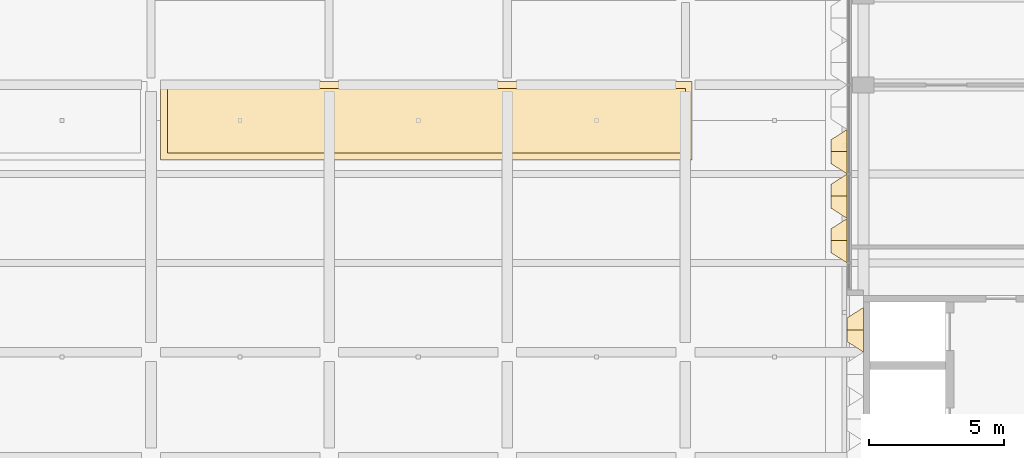
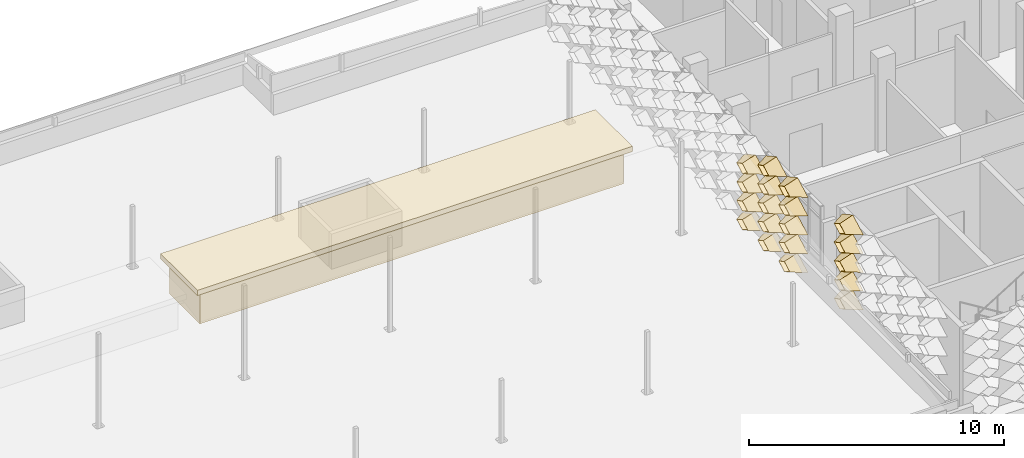
# One storey, part 24 of 39: 21 coverings.
"""IFC4 building model written with IfcOpenShell, lengths in metres."""

from ifc_helpers import new_model, entity, si_unit, direction, frame, origin, origin_2d, place, context, subcontext, project, spatial, rectangle, extrude, material, layer, layer_set, type_object, element, save


model = new_model("IFC4")

# Units and contexts
model_context = context("Model", 3, precision=1e-05, world=origin(), true_north=direction((0.0, 1.0)))
body_context = subcontext(model_context, "Body", "Model", "MODEL_VIEW")
ifc_project = project(units=[si_unit("LENGTHUNIT", "METRE"), si_unit("AREAUNIT", "SQUARE_METRE"), si_unit("VOLUMEUNIT", "CUBIC_METRE"), si_unit("PLANEANGLEUNIT", "RADIAN"), si_unit("MASSUNIT", "GRAM", prefix="KILO")], contexts=[model_context])

# Site, building, storey
site_placement = place(None, origin())
site = spatial("IfcSite", under=ifc_project, at=site_placement, CompositionType="ELEMENT")
building_placement = place(site_placement, origin())
building = spatial("IfcBuilding", under=site, at=building_placement, Name="Lantern Court Research Institute", CompositionType="ELEMENT")
storey_placement = place(building_placement, frame((0.0, 0.0, 27.89990234375)))
storey = spatial("IfcBuildingStorey", under=building, at=storey_placement, Name="L06", CompositionType="ELEMENT", Elevation=27.89990234375)

# Coverings
ifc_material_1 = material(Name="Anodised aluminium", Category="aluminium")
ifc_layer_1 = layer(ifc_material_1, 0.01611328125)
ifc_layer_set_1 = layer_set([ifc_layer_1], Name="Anodised aluminium")
covering_type_1 = type_object("IfcCoveringType", Name="Fin cassette 1650 x 900 x 600 aluminium", PredefinedType="CLADDING", material=ifc_layer_set_1)
covering_1_placement = place(storey_placement, frame((52.800048828125, 0.824951171875, 0.4501953125), z_axis=(-1.0, 0.0, 0.0), x_axis=(0.0, -1.0, 0.0)))
cartesian_point_1 = entity("IfcCartesianPoint", [0.824951171875, 0.0])
cartesian_point_2 = entity("IfcCartesianPoint", [0.79150390625, 0.0])
cartesian_point_3 = entity("IfcCartesianPoint", [0.44189453125, 0.0])
cartesian_point_4 = entity("IfcCartesianPoint", [0.43359375, 0.0])
element("IfcCovering", 1, at=covering_1_placement, inside=storey, type_object=covering_type_1, Name="Fin cassette V5W-L06 1.1", PredefinedType="CLADDING", context=body_context, shape_type="SweptSolid", body=[
    entity("IfcExtrudedAreaSolidTapered", entity("IfcArbitraryProfileDefWithVoids", "AREA", None, entity("IfcPolyline", [cartesian_point_1, entity("IfcCartesianPoint", [0.0, 0.449951171875]), entity("IfcCartesianPoint", [-0.824951171875, 0.0]), entity("IfcCartesianPoint", [0.0, -0.449951171875]), cartesian_point_1]), [entity("IfcPolyline", [cartesian_point_2, entity("IfcCartesianPoint", [0.0, 0.431884765625]), entity("IfcCartesianPoint", [-0.79150390625, 0.0]), entity("IfcCartesianPoint", [0.0, -0.431884765625]), cartesian_point_2])]), entity("IfcAxis2Placement3D", entity("IfcCartesianPoint", [0.0, 0.0, 0.0])), entity("IfcDirection", [0.0, 0.0, 1.0]), 0.60009765625, entity("IfcArbitraryProfileDefWithVoids", "AREA", None, entity("IfcPolyline", [cartesian_point_3, entity("IfcCartesianPoint", [0.0, 0.240966796875]), entity("IfcCartesianPoint", [-0.44189453125, 0.0]), entity("IfcCartesianPoint", [0.0, -0.240966796875]), cartesian_point_3]), [entity("IfcPolyline", [cartesian_point_4, entity("IfcCartesianPoint", [0.0, 0.236572265625]), entity("IfcCartesianPoint", [-0.43359375, 0.0]), entity("IfcCartesianPoint", [0.0, -0.236572265625]), cartesian_point_4])])),
])
covering_2_placement = place(storey_placement, frame((52.800048828125, 0.824951171875, 1.35009765625), z_axis=(-1.0, 0.0, 0.0), x_axis=(0.0, -1.0, 0.0)))
cartesian_point_5 = entity("IfcCartesianPoint", [0.824951171875, 0.0])
cartesian_point_6 = entity("IfcCartesianPoint", [0.79150390625, 0.0])
cartesian_point_7 = entity("IfcCartesianPoint", [0.44189453125, 0.0])
cartesian_point_8 = entity("IfcCartesianPoint", [0.43359375, 0.0])
element("IfcCovering", 2, at=covering_2_placement, inside=storey, type_object=covering_type_1, Name="Fin cassette V5W-L06 2.1", PredefinedType="CLADDING", context=body_context, shape_type="SweptSolid", body=[
    entity("IfcExtrudedAreaSolidTapered", entity("IfcArbitraryProfileDefWithVoids", "AREA", None, entity("IfcPolyline", [cartesian_point_5, entity("IfcCartesianPoint", [0.0, 0.449951171875]), entity("IfcCartesianPoint", [-0.824951171875, 0.0]), entity("IfcCartesianPoint", [0.0, -0.449951171875]), cartesian_point_5]), [entity("IfcPolyline", [cartesian_point_6, entity("IfcCartesianPoint", [0.0, 0.431884765625]), entity("IfcCartesianPoint", [-0.79150390625, 0.0]), entity("IfcCartesianPoint", [0.0, -0.431884765625]), cartesian_point_6])]), entity("IfcAxis2Placement3D", entity("IfcCartesianPoint", [0.0, 0.0, 0.0])), entity("IfcDirection", [0.0, 0.0, 1.0]), 0.60009765625, entity("IfcArbitraryProfileDefWithVoids", "AREA", None, entity("IfcPolyline", [cartesian_point_7, entity("IfcCartesianPoint", [0.0, 0.240966796875]), entity("IfcCartesianPoint", [-0.44189453125, 0.0]), entity("IfcCartesianPoint", [0.0, -0.240966796875]), cartesian_point_7]), [entity("IfcPolyline", [cartesian_point_8, entity("IfcCartesianPoint", [0.0, 0.236572265625]), entity("IfcCartesianPoint", [-0.43359375, 0.0]), entity("IfcCartesianPoint", [0.0, -0.236572265625]), cartesian_point_8])])),
])
covering_3_placement = place(storey_placement, frame((52.800048828125, 0.824951171875, 2.25), z_axis=(-1.0, 0.0, 0.0), x_axis=(0.0, -1.0, 0.0)))
cartesian_point_9 = entity("IfcCartesianPoint", [0.824951171875, 0.0])
cartesian_point_10 = entity("IfcCartesianPoint", [0.79150390625, 0.0])
cartesian_point_11 = entity("IfcCartesianPoint", [0.44189453125, 0.0])
cartesian_point_12 = entity("IfcCartesianPoint", [0.43359375, 0.0])
element("IfcCovering", 3, at=covering_3_placement, inside=storey, type_object=covering_type_1, Name="Fin cassette V5W-L06 3.1", PredefinedType="CLADDING", context=body_context, shape_type="SweptSolid", body=[
    entity("IfcExtrudedAreaSolidTapered", entity("IfcArbitraryProfileDefWithVoids", "AREA", None, entity("IfcPolyline", [cartesian_point_9, entity("IfcCartesianPoint", [0.0, 0.449951171875]), entity("IfcCartesianPoint", [-0.824951171875, 0.0]), entity("IfcCartesianPoint", [0.0, -0.449951171875]), cartesian_point_9]), [entity("IfcPolyline", [cartesian_point_10, entity("IfcCartesianPoint", [0.0, 0.431884765625]), entity("IfcCartesianPoint", [-0.79150390625, 0.0]), entity("IfcCartesianPoint", [0.0, -0.431884765625]), cartesian_point_10])]), entity("IfcAxis2Placement3D", entity("IfcCartesianPoint", [0.0, 0.0, 0.0])), entity("IfcDirection", [0.0, 0.0, 1.0]), 0.60009765625, entity("IfcArbitraryProfileDefWithVoids", "AREA", None, entity("IfcPolyline", [cartesian_point_11, entity("IfcCartesianPoint", [0.0, 0.240966796875]), entity("IfcCartesianPoint", [-0.44189453125, 0.0]), entity("IfcCartesianPoint", [0.0, -0.240966796875]), cartesian_point_11]), [entity("IfcPolyline", [cartesian_point_12, entity("IfcCartesianPoint", [0.0, 0.236572265625]), entity("IfcCartesianPoint", [-0.43359375, 0.0]), entity("IfcCartesianPoint", [0.0, -0.236572265625]), cartesian_point_12])])),
])
covering_4_placement = place(storey_placement, frame((52.800048828125, 0.824951171875, 3.150146484375), z_axis=(-1.0, 0.0, 0.0), x_axis=(0.0, -1.0, 0.0)))
cartesian_point_13 = entity("IfcCartesianPoint", [0.824951171875, 0.0])
cartesian_point_14 = entity("IfcCartesianPoint", [0.79150390625, 0.0])
cartesian_point_15 = entity("IfcCartesianPoint", [0.44189453125, 0.0])
cartesian_point_16 = entity("IfcCartesianPoint", [0.43359375, 0.0])
element("IfcCovering", 4, at=covering_4_placement, inside=storey, type_object=covering_type_1, Name="Fin cassette V5W-L06 4.1", PredefinedType="CLADDING", context=body_context, shape_type="SweptSolid", body=[
    entity("IfcExtrudedAreaSolidTapered", entity("IfcArbitraryProfileDefWithVoids", "AREA", None, entity("IfcPolyline", [cartesian_point_13, entity("IfcCartesianPoint", [0.0, 0.449951171875]), entity("IfcCartesianPoint", [-0.824951171875, 0.0]), entity("IfcCartesianPoint", [0.0, -0.449951171875]), cartesian_point_13]), [entity("IfcPolyline", [cartesian_point_14, entity("IfcCartesianPoint", [0.0, 0.431884765625]), entity("IfcCartesianPoint", [-0.79150390625, 0.0]), entity("IfcCartesianPoint", [0.0, -0.431884765625]), cartesian_point_14])]), entity("IfcAxis2Placement3D", entity("IfcCartesianPoint", [0.0, 0.0, 0.0])), entity("IfcDirection", [0.0, 0.0, 1.0]), 0.60009765625, entity("IfcArbitraryProfileDefWithVoids", "AREA", None, entity("IfcPolyline", [cartesian_point_15, entity("IfcCartesianPoint", [0.0, 0.240966796875]), entity("IfcCartesianPoint", [-0.44189453125, 0.0]), entity("IfcCartesianPoint", [0.0, -0.240966796875]), cartesian_point_15]), [entity("IfcPolyline", [cartesian_point_16, entity("IfcCartesianPoint", [0.0, 0.236572265625]), entity("IfcCartesianPoint", [-0.43359375, 0.0]), entity("IfcCartesianPoint", [0.0, -0.236572265625]), cartesian_point_16])])),
])
covering_5_placement = place(storey_placement, frame((52.800048828125, 0.824951171875, 4.050048828125), z_axis=(-1.0, 0.0, 0.0), x_axis=(0.0, -1.0, 0.0)))
cartesian_point_17 = entity("IfcCartesianPoint", [0.824951171875, 0.0])
cartesian_point_18 = entity("IfcCartesianPoint", [0.79150390625, 0.0])
cartesian_point_19 = entity("IfcCartesianPoint", [0.44189453125, 0.0])
cartesian_point_20 = entity("IfcCartesianPoint", [0.43359375, 0.0])
element("IfcCovering", 5, at=covering_5_placement, inside=storey, type_object=covering_type_1, Name="Fin cassette V5W-L06 5.1", PredefinedType="CLADDING", context=body_context, shape_type="SweptSolid", body=[
    entity("IfcExtrudedAreaSolidTapered", entity("IfcArbitraryProfileDefWithVoids", "AREA", None, entity("IfcPolyline", [cartesian_point_17, entity("IfcCartesianPoint", [0.0, 0.449951171875]), entity("IfcCartesianPoint", [-0.824951171875, 0.0]), entity("IfcCartesianPoint", [0.0, -0.449951171875]), cartesian_point_17]), [entity("IfcPolyline", [cartesian_point_18, entity("IfcCartesianPoint", [0.0, 0.431884765625]), entity("IfcCartesianPoint", [-0.79150390625, 0.0]), entity("IfcCartesianPoint", [0.0, -0.431884765625]), cartesian_point_18])]), entity("IfcAxis2Placement3D", entity("IfcCartesianPoint", [0.0, 0.0, 0.0])), entity("IfcDirection", [0.0, 0.0, 1.0]), 0.60009765625, entity("IfcArbitraryProfileDefWithVoids", "AREA", None, entity("IfcPolyline", [cartesian_point_19, entity("IfcCartesianPoint", [0.0, 0.240966796875]), entity("IfcCartesianPoint", [-0.44189453125, 0.0]), entity("IfcCartesianPoint", [0.0, -0.240966796875]), cartesian_point_19]), [entity("IfcPolyline", [cartesian_point_20, entity("IfcCartesianPoint", [0.0, 0.236572265625]), entity("IfcCartesianPoint", [-0.43359375, 0.0]), entity("IfcCartesianPoint", [0.0, -0.236572265625]), cartesian_point_20])])),
])
covering_6_placement = place(storey_placement, frame((52.199951171875, 4.125, 0.4501953125), z_axis=(-1.0, 0.0, 0.0), x_axis=(0.0, -1.0, 0.0)))
cartesian_point_21 = entity("IfcCartesianPoint", [0.824951171875, 0.0])
cartesian_point_22 = entity("IfcCartesianPoint", [0.79150390625, 0.0])
cartesian_point_23 = entity("IfcCartesianPoint", [0.44189453125, 0.0])
cartesian_point_24 = entity("IfcCartesianPoint", [0.43359375, 0.0])
element("IfcCovering", 6, at=covering_6_placement, inside=storey, type_object=covering_type_1, Name="Fin cassette V5W-L06 1.3", PredefinedType="CLADDING", context=body_context, shape_type="SweptSolid", body=[
    entity("IfcExtrudedAreaSolidTapered", entity("IfcArbitraryProfileDefWithVoids", "AREA", None, entity("IfcPolyline", [cartesian_point_21, entity("IfcCartesianPoint", [0.0, 0.449951171875]), entity("IfcCartesianPoint", [-0.824951171875, 0.0]), entity("IfcCartesianPoint", [0.0, -0.449951171875]), cartesian_point_21]), [entity("IfcPolyline", [cartesian_point_22, entity("IfcCartesianPoint", [0.0, 0.431884765625]), entity("IfcCartesianPoint", [-0.79150390625, 0.0]), entity("IfcCartesianPoint", [0.0, -0.431884765625]), cartesian_point_22])]), entity("IfcAxis2Placement3D", entity("IfcCartesianPoint", [0.0, 0.0, 0.0])), entity("IfcDirection", [0.0, 0.0, 1.0]), 0.60009765625, entity("IfcArbitraryProfileDefWithVoids", "AREA", None, entity("IfcPolyline", [cartesian_point_23, entity("IfcCartesianPoint", [0.0, 0.240966796875]), entity("IfcCartesianPoint", [-0.44189453125, 0.0]), entity("IfcCartesianPoint", [0.0, -0.240966796875]), cartesian_point_23]), [entity("IfcPolyline", [cartesian_point_24, entity("IfcCartesianPoint", [0.0, 0.236572265625]), entity("IfcCartesianPoint", [-0.43359375, 0.0]), entity("IfcCartesianPoint", [0.0, -0.236572265625]), cartesian_point_24])])),
])
covering_7_placement = place(storey_placement, frame((52.199951171875, 5.77490234375, 0.4501953125), z_axis=(-1.0, 0.0, 0.0), x_axis=(0.0, -1.0, 0.0)))
cartesian_point_25 = entity("IfcCartesianPoint", [0.824951171875, 0.0])
cartesian_point_26 = entity("IfcCartesianPoint", [0.79150390625, 0.0])
cartesian_point_27 = entity("IfcCartesianPoint", [0.44189453125, 0.0])
cartesian_point_28 = entity("IfcCartesianPoint", [0.43359375, 0.0])
element("IfcCovering", 7, at=covering_7_placement, inside=storey, type_object=covering_type_1, Name="Fin cassette V5W-L06 1.4", PredefinedType="CLADDING", context=body_context, shape_type="SweptSolid", body=[
    entity("IfcExtrudedAreaSolidTapered", entity("IfcArbitraryProfileDefWithVoids", "AREA", None, entity("IfcPolyline", [cartesian_point_25, entity("IfcCartesianPoint", [0.0, 0.449951171875]), entity("IfcCartesianPoint", [-0.824951171875, 0.0]), entity("IfcCartesianPoint", [0.0, -0.449951171875]), cartesian_point_25]), [entity("IfcPolyline", [cartesian_point_26, entity("IfcCartesianPoint", [0.0, 0.431884765625]), entity("IfcCartesianPoint", [-0.79150390625, 0.0]), entity("IfcCartesianPoint", [0.0, -0.431884765625]), cartesian_point_26])]), entity("IfcAxis2Placement3D", entity("IfcCartesianPoint", [0.0, 0.0, 0.0])), entity("IfcDirection", [0.0, 0.0, 1.0]), 0.60009765625, entity("IfcArbitraryProfileDefWithVoids", "AREA", None, entity("IfcPolyline", [cartesian_point_27, entity("IfcCartesianPoint", [0.0, 0.240966796875]), entity("IfcCartesianPoint", [-0.44189453125, 0.0]), entity("IfcCartesianPoint", [0.0, -0.240966796875]), cartesian_point_27]), [entity("IfcPolyline", [cartesian_point_28, entity("IfcCartesianPoint", [0.0, 0.236572265625]), entity("IfcCartesianPoint", [-0.43359375, 0.0]), entity("IfcCartesianPoint", [0.0, -0.236572265625]), cartesian_point_28])])),
])
covering_8_placement = place(storey_placement, frame((52.199951171875, 7.425048828125, 0.4501953125), z_axis=(-1.0, 0.0, 0.0), x_axis=(0.0, -1.0, 0.0)))
cartesian_point_29 = entity("IfcCartesianPoint", [0.824951171875, 0.0])
cartesian_point_30 = entity("IfcCartesianPoint", [0.79150390625, 0.0])
cartesian_point_31 = entity("IfcCartesianPoint", [0.44189453125, 0.0])
cartesian_point_32 = entity("IfcCartesianPoint", [0.43359375, 0.0])
element("IfcCovering", 8, at=covering_8_placement, inside=storey, type_object=covering_type_1, Name="Fin cassette V5W-L06 1.5", PredefinedType="CLADDING", context=body_context, shape_type="SweptSolid", body=[
    entity("IfcExtrudedAreaSolidTapered", entity("IfcArbitraryProfileDefWithVoids", "AREA", None, entity("IfcPolyline", [cartesian_point_29, entity("IfcCartesianPoint", [0.0, 0.449951171875]), entity("IfcCartesianPoint", [-0.824951171875, 0.0]), entity("IfcCartesianPoint", [0.0, -0.449951171875]), cartesian_point_29]), [entity("IfcPolyline", [cartesian_point_30, entity("IfcCartesianPoint", [0.0, 0.431884765625]), entity("IfcCartesianPoint", [-0.79150390625, 0.0]), entity("IfcCartesianPoint", [0.0, -0.431884765625]), cartesian_point_30])]), entity("IfcAxis2Placement3D", entity("IfcCartesianPoint", [0.0, 0.0, 0.0])), entity("IfcDirection", [0.0, 0.0, 1.0]), 0.60009765625, entity("IfcArbitraryProfileDefWithVoids", "AREA", None, entity("IfcPolyline", [cartesian_point_31, entity("IfcCartesianPoint", [0.0, 0.240966796875]), entity("IfcCartesianPoint", [-0.44189453125, 0.0]), entity("IfcCartesianPoint", [0.0, -0.240966796875]), cartesian_point_31]), [entity("IfcPolyline", [cartesian_point_32, entity("IfcCartesianPoint", [0.0, 0.236572265625]), entity("IfcCartesianPoint", [-0.43359375, 0.0]), entity("IfcCartesianPoint", [0.0, -0.236572265625]), cartesian_point_32])])),
])
covering_9_placement = place(storey_placement, frame((52.199951171875, 4.125, 1.35009765625), z_axis=(-1.0, 0.0, 0.0), x_axis=(0.0, -1.0, 0.0)))
cartesian_point_33 = entity("IfcCartesianPoint", [0.824951171875, 0.0])
cartesian_point_34 = entity("IfcCartesianPoint", [0.79150390625, 0.0])
cartesian_point_35 = entity("IfcCartesianPoint", [0.44189453125, 0.0])
cartesian_point_36 = entity("IfcCartesianPoint", [0.43359375, 0.0])
element("IfcCovering", 9, at=covering_9_placement, inside=storey, type_object=covering_type_1, Name="Fin cassette V5W-L06 2.3", PredefinedType="CLADDING", context=body_context, shape_type="SweptSolid", body=[
    entity("IfcExtrudedAreaSolidTapered", entity("IfcArbitraryProfileDefWithVoids", "AREA", None, entity("IfcPolyline", [cartesian_point_33, entity("IfcCartesianPoint", [0.0, 0.449951171875]), entity("IfcCartesianPoint", [-0.824951171875, 0.0]), entity("IfcCartesianPoint", [0.0, -0.449951171875]), cartesian_point_33]), [entity("IfcPolyline", [cartesian_point_34, entity("IfcCartesianPoint", [0.0, 0.431884765625]), entity("IfcCartesianPoint", [-0.79150390625, 0.0]), entity("IfcCartesianPoint", [0.0, -0.431884765625]), cartesian_point_34])]), entity("IfcAxis2Placement3D", entity("IfcCartesianPoint", [0.0, 0.0, 0.0])), entity("IfcDirection", [0.0, 0.0, 1.0]), 0.60009765625, entity("IfcArbitraryProfileDefWithVoids", "AREA", None, entity("IfcPolyline", [cartesian_point_35, entity("IfcCartesianPoint", [0.0, 0.240966796875]), entity("IfcCartesianPoint", [-0.44189453125, 0.0]), entity("IfcCartesianPoint", [0.0, -0.240966796875]), cartesian_point_35]), [entity("IfcPolyline", [cartesian_point_36, entity("IfcCartesianPoint", [0.0, 0.236572265625]), entity("IfcCartesianPoint", [-0.43359375, 0.0]), entity("IfcCartesianPoint", [0.0, -0.236572265625]), cartesian_point_36])])),
])
covering_10_placement = place(storey_placement, frame((52.199951171875, 5.77490234375, 1.35009765625), z_axis=(-1.0, 0.0, 0.0), x_axis=(0.0, -1.0, 0.0)))
cartesian_point_37 = entity("IfcCartesianPoint", [0.824951171875, 0.0])
cartesian_point_38 = entity("IfcCartesianPoint", [0.79150390625, 0.0])
cartesian_point_39 = entity("IfcCartesianPoint", [0.44189453125, 0.0])
cartesian_point_40 = entity("IfcCartesianPoint", [0.43359375, 0.0])
element("IfcCovering", 10, at=covering_10_placement, inside=storey, type_object=covering_type_1, Name="Fin cassette V5W-L06 2.4", PredefinedType="CLADDING", context=body_context, shape_type="SweptSolid", body=[
    entity("IfcExtrudedAreaSolidTapered", entity("IfcArbitraryProfileDefWithVoids", "AREA", None, entity("IfcPolyline", [cartesian_point_37, entity("IfcCartesianPoint", [0.0, 0.449951171875]), entity("IfcCartesianPoint", [-0.824951171875, 0.0]), entity("IfcCartesianPoint", [0.0, -0.449951171875]), cartesian_point_37]), [entity("IfcPolyline", [cartesian_point_38, entity("IfcCartesianPoint", [0.0, 0.431884765625]), entity("IfcCartesianPoint", [-0.79150390625, 0.0]), entity("IfcCartesianPoint", [0.0, -0.431884765625]), cartesian_point_38])]), entity("IfcAxis2Placement3D", entity("IfcCartesianPoint", [0.0, 0.0, 0.0])), entity("IfcDirection", [0.0, 0.0, 1.0]), 0.60009765625, entity("IfcArbitraryProfileDefWithVoids", "AREA", None, entity("IfcPolyline", [cartesian_point_39, entity("IfcCartesianPoint", [0.0, 0.240966796875]), entity("IfcCartesianPoint", [-0.44189453125, 0.0]), entity("IfcCartesianPoint", [0.0, -0.240966796875]), cartesian_point_39]), [entity("IfcPolyline", [cartesian_point_40, entity("IfcCartesianPoint", [0.0, 0.236572265625]), entity("IfcCartesianPoint", [-0.43359375, 0.0]), entity("IfcCartesianPoint", [0.0, -0.236572265625]), cartesian_point_40])])),
])
covering_11_placement = place(storey_placement, frame((52.199951171875, 7.425048828125, 1.35009765625), z_axis=(-1.0, 0.0, 0.0), x_axis=(0.0, -1.0, 0.0)))
cartesian_point_41 = entity("IfcCartesianPoint", [0.824951171875, 0.0])
cartesian_point_42 = entity("IfcCartesianPoint", [0.79150390625, 0.0])
cartesian_point_43 = entity("IfcCartesianPoint", [0.44189453125, 0.0])
cartesian_point_44 = entity("IfcCartesianPoint", [0.43359375, 0.0])
element("IfcCovering", 11, at=covering_11_placement, inside=storey, type_object=covering_type_1, Name="Fin cassette V5W-L06 2.5", PredefinedType="CLADDING", context=body_context, shape_type="SweptSolid", body=[
    entity("IfcExtrudedAreaSolidTapered", entity("IfcArbitraryProfileDefWithVoids", "AREA", None, entity("IfcPolyline", [cartesian_point_41, entity("IfcCartesianPoint", [0.0, 0.449951171875]), entity("IfcCartesianPoint", [-0.824951171875, 0.0]), entity("IfcCartesianPoint", [0.0, -0.449951171875]), cartesian_point_41]), [entity("IfcPolyline", [cartesian_point_42, entity("IfcCartesianPoint", [0.0, 0.431884765625]), entity("IfcCartesianPoint", [-0.79150390625, 0.0]), entity("IfcCartesianPoint", [0.0, -0.431884765625]), cartesian_point_42])]), entity("IfcAxis2Placement3D", entity("IfcCartesianPoint", [0.0, 0.0, 0.0])), entity("IfcDirection", [0.0, 0.0, 1.0]), 0.60009765625, entity("IfcArbitraryProfileDefWithVoids", "AREA", None, entity("IfcPolyline", [cartesian_point_43, entity("IfcCartesianPoint", [0.0, 0.240966796875]), entity("IfcCartesianPoint", [-0.44189453125, 0.0]), entity("IfcCartesianPoint", [0.0, -0.240966796875]), cartesian_point_43]), [entity("IfcPolyline", [cartesian_point_44, entity("IfcCartesianPoint", [0.0, 0.236572265625]), entity("IfcCartesianPoint", [-0.43359375, 0.0]), entity("IfcCartesianPoint", [0.0, -0.236572265625]), cartesian_point_44])])),
])
covering_12_placement = place(storey_placement, frame((52.199951171875, 4.125, 2.25), z_axis=(-1.0, 0.0, 0.0), x_axis=(0.0, -1.0, 0.0)))
cartesian_point_45 = entity("IfcCartesianPoint", [0.824951171875, 0.0])
cartesian_point_46 = entity("IfcCartesianPoint", [0.79150390625, 0.0])
cartesian_point_47 = entity("IfcCartesianPoint", [0.44189453125, 0.0])
cartesian_point_48 = entity("IfcCartesianPoint", [0.43359375, 0.0])
element("IfcCovering", 12, at=covering_12_placement, inside=storey, type_object=covering_type_1, Name="Fin cassette V5W-L06 3.3", PredefinedType="CLADDING", context=body_context, shape_type="SweptSolid", body=[
    entity("IfcExtrudedAreaSolidTapered", entity("IfcArbitraryProfileDefWithVoids", "AREA", None, entity("IfcPolyline", [cartesian_point_45, entity("IfcCartesianPoint", [0.0, 0.449951171875]), entity("IfcCartesianPoint", [-0.824951171875, 0.0]), entity("IfcCartesianPoint", [0.0, -0.449951171875]), cartesian_point_45]), [entity("IfcPolyline", [cartesian_point_46, entity("IfcCartesianPoint", [0.0, 0.431884765625]), entity("IfcCartesianPoint", [-0.79150390625, 0.0]), entity("IfcCartesianPoint", [0.0, -0.431884765625]), cartesian_point_46])]), entity("IfcAxis2Placement3D", entity("IfcCartesianPoint", [0.0, 0.0, 0.0])), entity("IfcDirection", [0.0, 0.0, 1.0]), 0.60009765625, entity("IfcArbitraryProfileDefWithVoids", "AREA", None, entity("IfcPolyline", [cartesian_point_47, entity("IfcCartesianPoint", [0.0, 0.240966796875]), entity("IfcCartesianPoint", [-0.44189453125, 0.0]), entity("IfcCartesianPoint", [0.0, -0.240966796875]), cartesian_point_47]), [entity("IfcPolyline", [cartesian_point_48, entity("IfcCartesianPoint", [0.0, 0.236572265625]), entity("IfcCartesianPoint", [-0.43359375, 0.0]), entity("IfcCartesianPoint", [0.0, -0.236572265625]), cartesian_point_48])])),
])
covering_13_placement = place(storey_placement, frame((52.199951171875, 5.77490234375, 2.25), z_axis=(-1.0, 0.0, 0.0), x_axis=(0.0, -1.0, 0.0)))
cartesian_point_49 = entity("IfcCartesianPoint", [0.824951171875, 0.0])
cartesian_point_50 = entity("IfcCartesianPoint", [0.79150390625, 0.0])
cartesian_point_51 = entity("IfcCartesianPoint", [0.44189453125, 0.0])
cartesian_point_52 = entity("IfcCartesianPoint", [0.43359375, 0.0])
element("IfcCovering", 13, at=covering_13_placement, inside=storey, type_object=covering_type_1, Name="Fin cassette V5W-L06 3.4", PredefinedType="CLADDING", context=body_context, shape_type="SweptSolid", body=[
    entity("IfcExtrudedAreaSolidTapered", entity("IfcArbitraryProfileDefWithVoids", "AREA", None, entity("IfcPolyline", [cartesian_point_49, entity("IfcCartesianPoint", [0.0, 0.449951171875]), entity("IfcCartesianPoint", [-0.824951171875, 0.0]), entity("IfcCartesianPoint", [0.0, -0.449951171875]), cartesian_point_49]), [entity("IfcPolyline", [cartesian_point_50, entity("IfcCartesianPoint", [0.0, 0.431884765625]), entity("IfcCartesianPoint", [-0.79150390625, 0.0]), entity("IfcCartesianPoint", [0.0, -0.431884765625]), cartesian_point_50])]), entity("IfcAxis2Placement3D", entity("IfcCartesianPoint", [0.0, 0.0, 0.0])), entity("IfcDirection", [0.0, 0.0, 1.0]), 0.60009765625, entity("IfcArbitraryProfileDefWithVoids", "AREA", None, entity("IfcPolyline", [cartesian_point_51, entity("IfcCartesianPoint", [0.0, 0.240966796875]), entity("IfcCartesianPoint", [-0.44189453125, 0.0]), entity("IfcCartesianPoint", [0.0, -0.240966796875]), cartesian_point_51]), [entity("IfcPolyline", [cartesian_point_52, entity("IfcCartesianPoint", [0.0, 0.236572265625]), entity("IfcCartesianPoint", [-0.43359375, 0.0]), entity("IfcCartesianPoint", [0.0, -0.236572265625]), cartesian_point_52])])),
])
covering_14_placement = place(storey_placement, frame((52.199951171875, 7.425048828125, 2.25), z_axis=(-1.0, 0.0, 0.0), x_axis=(0.0, -1.0, 0.0)))
cartesian_point_53 = entity("IfcCartesianPoint", [0.824951171875, 0.0])
cartesian_point_54 = entity("IfcCartesianPoint", [0.79150390625, 0.0])
cartesian_point_55 = entity("IfcCartesianPoint", [0.44189453125, 0.0])
cartesian_point_56 = entity("IfcCartesianPoint", [0.43359375, 0.0])
element("IfcCovering", 14, at=covering_14_placement, inside=storey, type_object=covering_type_1, Name="Fin cassette V5W-L06 3.5", PredefinedType="CLADDING", context=body_context, shape_type="SweptSolid", body=[
    entity("IfcExtrudedAreaSolidTapered", entity("IfcArbitraryProfileDefWithVoids", "AREA", None, entity("IfcPolyline", [cartesian_point_53, entity("IfcCartesianPoint", [0.0, 0.449951171875]), entity("IfcCartesianPoint", [-0.824951171875, 0.0]), entity("IfcCartesianPoint", [0.0, -0.449951171875]), cartesian_point_53]), [entity("IfcPolyline", [cartesian_point_54, entity("IfcCartesianPoint", [0.0, 0.431884765625]), entity("IfcCartesianPoint", [-0.79150390625, 0.0]), entity("IfcCartesianPoint", [0.0, -0.431884765625]), cartesian_point_54])]), entity("IfcAxis2Placement3D", entity("IfcCartesianPoint", [0.0, 0.0, 0.0])), entity("IfcDirection", [0.0, 0.0, 1.0]), 0.60009765625, entity("IfcArbitraryProfileDefWithVoids", "AREA", None, entity("IfcPolyline", [cartesian_point_55, entity("IfcCartesianPoint", [0.0, 0.240966796875]), entity("IfcCartesianPoint", [-0.44189453125, 0.0]), entity("IfcCartesianPoint", [0.0, -0.240966796875]), cartesian_point_55]), [entity("IfcPolyline", [cartesian_point_56, entity("IfcCartesianPoint", [0.0, 0.236572265625]), entity("IfcCartesianPoint", [-0.43359375, 0.0]), entity("IfcCartesianPoint", [0.0, -0.236572265625]), cartesian_point_56])])),
])
covering_15_placement = place(storey_placement, frame((52.199951171875, 4.125, 3.150146484375), z_axis=(-1.0, 0.0, 0.0), x_axis=(0.0, -1.0, 0.0)))
cartesian_point_57 = entity("IfcCartesianPoint", [0.824951171875, 0.0])
cartesian_point_58 = entity("IfcCartesianPoint", [0.79150390625, 0.0])
cartesian_point_59 = entity("IfcCartesianPoint", [0.44189453125, 0.0])
cartesian_point_60 = entity("IfcCartesianPoint", [0.43359375, 0.0])
element("IfcCovering", 15, at=covering_15_placement, inside=storey, type_object=covering_type_1, Name="Fin cassette V5W-L06 4.3", PredefinedType="CLADDING", context=body_context, shape_type="SweptSolid", body=[
    entity("IfcExtrudedAreaSolidTapered", entity("IfcArbitraryProfileDefWithVoids", "AREA", None, entity("IfcPolyline", [cartesian_point_57, entity("IfcCartesianPoint", [0.0, 0.449951171875]), entity("IfcCartesianPoint", [-0.824951171875, 0.0]), entity("IfcCartesianPoint", [0.0, -0.449951171875]), cartesian_point_57]), [entity("IfcPolyline", [cartesian_point_58, entity("IfcCartesianPoint", [0.0, 0.431884765625]), entity("IfcCartesianPoint", [-0.79150390625, 0.0]), entity("IfcCartesianPoint", [0.0, -0.431884765625]), cartesian_point_58])]), entity("IfcAxis2Placement3D", entity("IfcCartesianPoint", [0.0, 0.0, 0.0])), entity("IfcDirection", [0.0, 0.0, 1.0]), 0.60009765625, entity("IfcArbitraryProfileDefWithVoids", "AREA", None, entity("IfcPolyline", [cartesian_point_59, entity("IfcCartesianPoint", [0.0, 0.240966796875]), entity("IfcCartesianPoint", [-0.44189453125, 0.0]), entity("IfcCartesianPoint", [0.0, -0.240966796875]), cartesian_point_59]), [entity("IfcPolyline", [cartesian_point_60, entity("IfcCartesianPoint", [0.0, 0.236572265625]), entity("IfcCartesianPoint", [-0.43359375, 0.0]), entity("IfcCartesianPoint", [0.0, -0.236572265625]), cartesian_point_60])])),
])
covering_16_placement = place(storey_placement, frame((52.199951171875, 5.77490234375, 3.150146484375), z_axis=(-1.0, 0.0, 0.0), x_axis=(0.0, -1.0, 0.0)))
cartesian_point_61 = entity("IfcCartesianPoint", [0.824951171875, 0.0])
cartesian_point_62 = entity("IfcCartesianPoint", [0.79150390625, 0.0])
cartesian_point_63 = entity("IfcCartesianPoint", [0.44189453125, 0.0])
cartesian_point_64 = entity("IfcCartesianPoint", [0.43359375, 0.0])
element("IfcCovering", 16, at=covering_16_placement, inside=storey, type_object=covering_type_1, Name="Fin cassette V5W-L06 4.4", PredefinedType="CLADDING", context=body_context, shape_type="SweptSolid", body=[
    entity("IfcExtrudedAreaSolidTapered", entity("IfcArbitraryProfileDefWithVoids", "AREA", None, entity("IfcPolyline", [cartesian_point_61, entity("IfcCartesianPoint", [0.0, 0.449951171875]), entity("IfcCartesianPoint", [-0.824951171875, 0.0]), entity("IfcCartesianPoint", [0.0, -0.449951171875]), cartesian_point_61]), [entity("IfcPolyline", [cartesian_point_62, entity("IfcCartesianPoint", [0.0, 0.431884765625]), entity("IfcCartesianPoint", [-0.79150390625, 0.0]), entity("IfcCartesianPoint", [0.0, -0.431884765625]), cartesian_point_62])]), entity("IfcAxis2Placement3D", entity("IfcCartesianPoint", [0.0, 0.0, 0.0])), entity("IfcDirection", [0.0, 0.0, 1.0]), 0.60009765625, entity("IfcArbitraryProfileDefWithVoids", "AREA", None, entity("IfcPolyline", [cartesian_point_63, entity("IfcCartesianPoint", [0.0, 0.240966796875]), entity("IfcCartesianPoint", [-0.44189453125, 0.0]), entity("IfcCartesianPoint", [0.0, -0.240966796875]), cartesian_point_63]), [entity("IfcPolyline", [cartesian_point_64, entity("IfcCartesianPoint", [0.0, 0.236572265625]), entity("IfcCartesianPoint", [-0.43359375, 0.0]), entity("IfcCartesianPoint", [0.0, -0.236572265625]), cartesian_point_64])])),
])
covering_17_placement = place(storey_placement, frame((52.199951171875, 7.425048828125, 3.150146484375), z_axis=(-1.0, 0.0, 0.0), x_axis=(0.0, -1.0, 0.0)))
cartesian_point_65 = entity("IfcCartesianPoint", [0.824951171875, 0.0])
cartesian_point_66 = entity("IfcCartesianPoint", [0.79150390625, 0.0])
cartesian_point_67 = entity("IfcCartesianPoint", [0.44189453125, 0.0])
cartesian_point_68 = entity("IfcCartesianPoint", [0.43359375, 0.0])
element("IfcCovering", 17, at=covering_17_placement, inside=storey, type_object=covering_type_1, Name="Fin cassette V5W-L06 4.5", PredefinedType="CLADDING", context=body_context, shape_type="SweptSolid", body=[
    entity("IfcExtrudedAreaSolidTapered", entity("IfcArbitraryProfileDefWithVoids", "AREA", None, entity("IfcPolyline", [cartesian_point_65, entity("IfcCartesianPoint", [0.0, 0.449951171875]), entity("IfcCartesianPoint", [-0.824951171875, 0.0]), entity("IfcCartesianPoint", [0.0, -0.449951171875]), cartesian_point_65]), [entity("IfcPolyline", [cartesian_point_66, entity("IfcCartesianPoint", [0.0, 0.431884765625]), entity("IfcCartesianPoint", [-0.79150390625, 0.0]), entity("IfcCartesianPoint", [0.0, -0.431884765625]), cartesian_point_66])]), entity("IfcAxis2Placement3D", entity("IfcCartesianPoint", [0.0, 0.0, 0.0])), entity("IfcDirection", [0.0, 0.0, 1.0]), 0.60009765625, entity("IfcArbitraryProfileDefWithVoids", "AREA", None, entity("IfcPolyline", [cartesian_point_67, entity("IfcCartesianPoint", [0.0, 0.240966796875]), entity("IfcCartesianPoint", [-0.44189453125, 0.0]), entity("IfcCartesianPoint", [0.0, -0.240966796875]), cartesian_point_67]), [entity("IfcPolyline", [cartesian_point_68, entity("IfcCartesianPoint", [0.0, 0.236572265625]), entity("IfcCartesianPoint", [-0.43359375, 0.0]), entity("IfcCartesianPoint", [0.0, -0.236572265625]), cartesian_point_68])])),
])
covering_18_placement = place(storey_placement, frame((52.199951171875, 4.125, 4.050048828125), z_axis=(-1.0, 0.0, 0.0), x_axis=(0.0, -1.0, 0.0)))
cartesian_point_69 = entity("IfcCartesianPoint", [0.824951171875, 0.0])
cartesian_point_70 = entity("IfcCartesianPoint", [0.79150390625, 0.0])
cartesian_point_71 = entity("IfcCartesianPoint", [0.44189453125, 0.0])
cartesian_point_72 = entity("IfcCartesianPoint", [0.43359375, 0.0])
element("IfcCovering", 18, at=covering_18_placement, inside=storey, type_object=covering_type_1, Name="Fin cassette V5W-L06 5.3", PredefinedType="CLADDING", context=body_context, shape_type="SweptSolid", body=[
    entity("IfcExtrudedAreaSolidTapered", entity("IfcArbitraryProfileDefWithVoids", "AREA", None, entity("IfcPolyline", [cartesian_point_69, entity("IfcCartesianPoint", [0.0, 0.449951171875]), entity("IfcCartesianPoint", [-0.824951171875, 0.0]), entity("IfcCartesianPoint", [0.0, -0.449951171875]), cartesian_point_69]), [entity("IfcPolyline", [cartesian_point_70, entity("IfcCartesianPoint", [0.0, 0.431884765625]), entity("IfcCartesianPoint", [-0.79150390625, 0.0]), entity("IfcCartesianPoint", [0.0, -0.431884765625]), cartesian_point_70])]), entity("IfcAxis2Placement3D", entity("IfcCartesianPoint", [0.0, 0.0, 0.0])), entity("IfcDirection", [0.0, 0.0, 1.0]), 0.60009765625, entity("IfcArbitraryProfileDefWithVoids", "AREA", None, entity("IfcPolyline", [cartesian_point_71, entity("IfcCartesianPoint", [0.0, 0.240966796875]), entity("IfcCartesianPoint", [-0.44189453125, 0.0]), entity("IfcCartesianPoint", [0.0, -0.240966796875]), cartesian_point_71]), [entity("IfcPolyline", [cartesian_point_72, entity("IfcCartesianPoint", [0.0, 0.236572265625]), entity("IfcCartesianPoint", [-0.43359375, 0.0]), entity("IfcCartesianPoint", [0.0, -0.236572265625]), cartesian_point_72])])),
])
covering_19_placement = place(storey_placement, frame((52.199951171875, 5.77490234375, 4.050048828125), z_axis=(-1.0, 0.0, 0.0), x_axis=(0.0, -1.0, 0.0)))
cartesian_point_73 = entity("IfcCartesianPoint", [0.824951171875, 0.0])
cartesian_point_74 = entity("IfcCartesianPoint", [0.79150390625, 0.0])
cartesian_point_75 = entity("IfcCartesianPoint", [0.44189453125, 0.0])
cartesian_point_76 = entity("IfcCartesianPoint", [0.43359375, 0.0])
element("IfcCovering", 19, at=covering_19_placement, inside=storey, type_object=covering_type_1, Name="Fin cassette V5W-L06 5.4", PredefinedType="CLADDING", context=body_context, shape_type="SweptSolid", body=[
    entity("IfcExtrudedAreaSolidTapered", entity("IfcArbitraryProfileDefWithVoids", "AREA", None, entity("IfcPolyline", [cartesian_point_73, entity("IfcCartesianPoint", [0.0, 0.449951171875]), entity("IfcCartesianPoint", [-0.824951171875, 0.0]), entity("IfcCartesianPoint", [0.0, -0.449951171875]), cartesian_point_73]), [entity("IfcPolyline", [cartesian_point_74, entity("IfcCartesianPoint", [0.0, 0.431884765625]), entity("IfcCartesianPoint", [-0.79150390625, 0.0]), entity("IfcCartesianPoint", [0.0, -0.431884765625]), cartesian_point_74])]), entity("IfcAxis2Placement3D", entity("IfcCartesianPoint", [0.0, 0.0, 0.0])), entity("IfcDirection", [0.0, 0.0, 1.0]), 0.60009765625, entity("IfcArbitraryProfileDefWithVoids", "AREA", None, entity("IfcPolyline", [cartesian_point_75, entity("IfcCartesianPoint", [0.0, 0.240966796875]), entity("IfcCartesianPoint", [-0.44189453125, 0.0]), entity("IfcCartesianPoint", [0.0, -0.240966796875]), cartesian_point_75]), [entity("IfcPolyline", [cartesian_point_76, entity("IfcCartesianPoint", [0.0, 0.236572265625]), entity("IfcCartesianPoint", [-0.43359375, 0.0]), entity("IfcCartesianPoint", [0.0, -0.236572265625]), cartesian_point_76])])),
])
ifc_material_2 = material(Name="Aluminium composite panel with mineral wool insulation", Category="aluminium")
ifc_layer_2 = layer(ifc_material_2, 0.10009765625)
ifc_layer_set_2 = layer_set([ifc_layer_2], Name="Aluminium composite panel with mineral wool insulation")
covering_type_2 = type_object("IfcCoveringType", Name="Tower crown cladding 100 aluminium composite", PredefinedType="CLADDING", material=ifc_layer_set_2)
covering_20_placement = place(storey_placement, frame((36.60009765625, 8.574951171875, 4.340087890625), z_axis=(0.0, 0.0, 1.0), x_axis=(1.0, 0.0, 0.0)))
element("IfcCovering", 20, at=covering_20_placement, inside=storey, type_object=covering_type_2, Name="Ridge lantern 2", PredefinedType="CLADDING", context=body_context, shape_type="SweptSolid", body=[
    extrude(rectangle(XDim=19.199951171875, YDim=2.39990234375, at=origin_2d()), origin(), (0.0, 0.0, 1.0), 1.60009765625),
])
covering_21_placement = place(storey_placement, frame((36.60009765625, 8.574951171875, 5.940185546875), z_axis=(0.0, 0.0, 1.0), x_axis=(1.0, 0.0, 0.0)))
element("IfcCovering", 21, at=covering_21_placement, inside=storey, type_object=covering_type_2, Name="Ridge lantern cornice 2", PredefinedType="CLADDING", context=body_context, shape_type="SweptSolid", body=[
    extrude(rectangle(XDim=19.699951171875, YDim=2.89990234375, at=origin_2d()), origin(), (0.0, 0.0, 1.0), 0.25),
])

save(model, "model.ifc")
